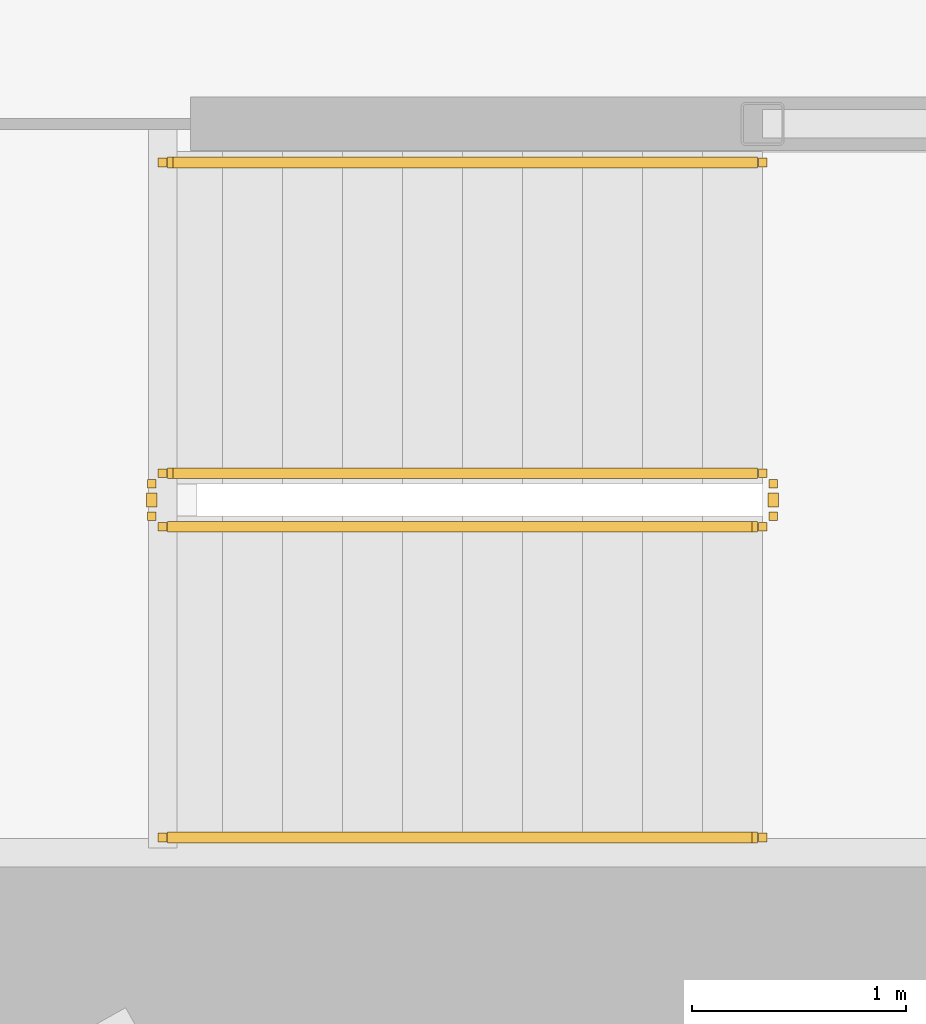
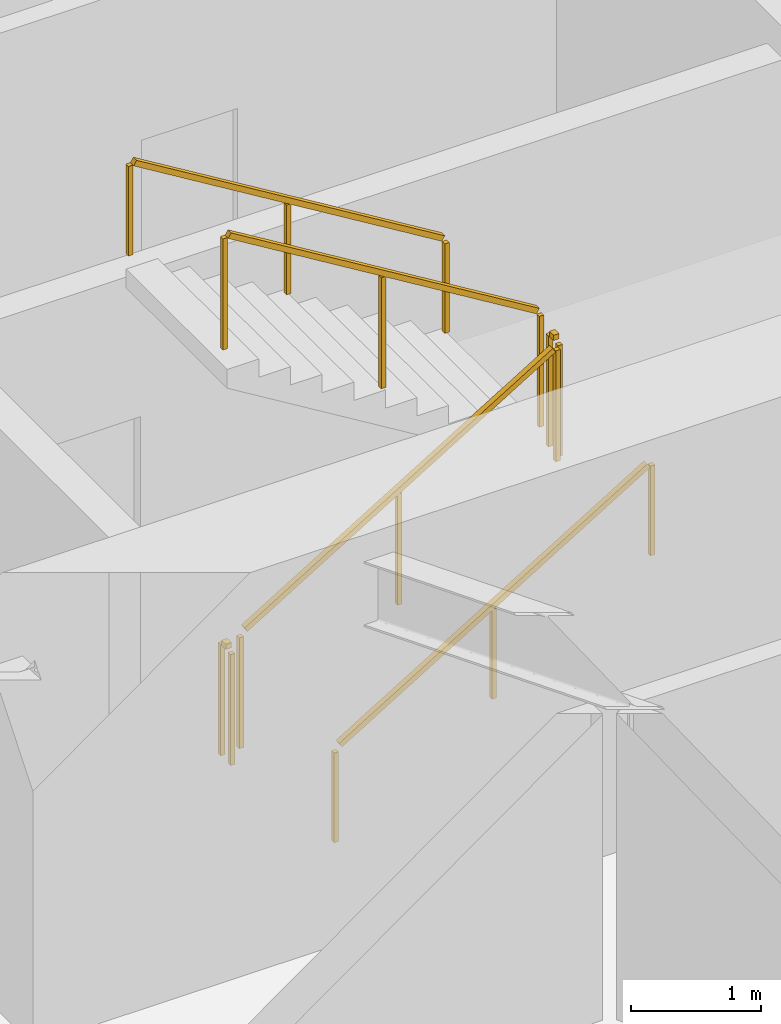
# One storey, part 29 of 32: 6 railings.
"""IFC4 building model written with IfcOpenShell, lengths in metres."""

from ifc_helpers import new_model, si_unit, direction, frame, origin, origin_2d, place, context, subcontext, project, spatial, rectangle, extrude, material, type_object, element, save


model = new_model("IFC4")

# Units and contexts
model_context = context("Model", 3, precision=1e-05, world=origin(), true_north=direction((0.0, 1.0)))
body_context = subcontext(model_context, "Body", "Model", "MODEL_VIEW")
ifc_project = project(units=[si_unit("LENGTHUNIT", "METRE"), si_unit("AREAUNIT", "SQUARE_METRE"), si_unit("VOLUMEUNIT", "CUBIC_METRE"), si_unit("PLANEANGLEUNIT", "RADIAN"), si_unit("MASSUNIT", "GRAM", prefix="KILO")], contexts=[model_context])

# Site, building, storey
site_placement = place(None, origin())
site = spatial("IfcSite", under=ifc_project, at=site_placement, CompositionType="ELEMENT")
building_placement = place(site_placement, origin())
building = spatial("IfcBuilding", under=site, at=building_placement, Name="Kazma Halo Residences", CompositionType="ELEMENT")
storey_placement = place(building_placement, frame((0.0, 0.0, 63.89990234375)))
storey = spatial("IfcBuildingStorey", under=building, at=storey_placement, Name="L15", CompositionType="ELEMENT", Elevation=63.89990234375)

# Railings
ifc_material_1 = material(Name="Painted Steel S355", Category="steel")
railing_type_1 = type_object("IfcRailingType", Name="RLG-STAIR-GRD-1100", PredefinedType="GUARDRAIL", material=ifc_material_1)
railing_1_placement = place(storey_placement, frame((53.199951171875, 35.5, 0.170654296875)))
element("IfcRailing", 1, at=railing_1_placement, inside=storey, type_object=railing_type_1, Name="L15 ST-03 stair guard 1", PredefinedType="GUARDRAIL", context=body_context, shape_type="SweptSolid", body=[
    extrude(rectangle(XDim=0.050048828125, YDim=0.050048828125, at=origin_2d()), frame((0.036376953125, 0.0, 1.09716796875), z_axis=(0.854202870247, 0.0, 0.519939858505), x_axis=(0.0, 1.0, 0.0)), (0.0, 0.0, 1.0), 3.19287109375),
    extrude(rectangle(XDim=0.0400390625, YDim=0.0400390625, at=origin_2d()), origin(), (0.0, 0.0, 1.0), 1.0380859375),
    extrude(rectangle(XDim=0.0400390625, YDim=0.0400390625, at=origin_2d()), frame((1.39990234375, 0.0, 0.85205078125)), (0.0, 0.0, 1.0), 1.0380859375),
    extrude(rectangle(XDim=0.0400390625, YDim=0.0400390625, at=origin_2d()), frame((2.800048828125, 0.0, 1.704345703125)), (0.0, 0.0, 1.0), 1.0380859375),
])
railing_2_placement = place(storey_placement, frame((56.050048828125, 35.550048828125, 1.875)))
element("IfcRailing", 2, at=railing_2_placement, inside=storey, type_object=railing_type_1, Name="L15 ST-03 stair guard 2", PredefinedType="GUARDRAIL", context=body_context, shape_type="SweptSolid", body=[
    extrude(rectangle(XDim=0.050048828125, YDim=0.050048828125, at=origin_2d()), frame((0.0, 0.04248046875, 1.0751953125), z_axis=(0.0, 1.0, 0.0), x_axis=(-1.0, 0.0, 0.0)), (0.0, 0.0, 1.0), 0.06494140625),
    extrude(rectangle(XDim=0.0400390625, YDim=0.0400390625, at=origin_2d()), origin(), (0.0, 0.0, 1.0), 1.0380859375),
    extrude(rectangle(XDim=0.0400390625, YDim=0.0400390625, at=origin_2d()), frame((0.0, 0.14990234375, 0.0)), (0.0, 0.0, 1.0), 1.0380859375),
])
railing_3_placement = place(storey_placement, frame((56.0, 35.75, 2.045654296875)))
element("IfcRailing", 3, at=railing_3_placement, inside=storey, type_object=railing_type_1, Name="L15 ST-03 stair guard 3", PredefinedType="GUARDRAIL", context=body_context, shape_type="SweptSolid", body=[
    extrude(rectangle(XDim=0.050048828125, YDim=0.050048828125, at=origin_2d()), frame((-0.036376953125, 0.0, 1.09716796875), z_axis=(-0.854202870247, 0.0, 0.519939858505), x_axis=(0.0, -1.0, 0.0)), (0.0, 0.0, 1.0), 3.19287109375),
    extrude(rectangle(XDim=0.0400390625, YDim=0.0400390625, at=origin_2d()), origin(), (0.0, 0.0, 1.0), 1.0380859375),
    extrude(rectangle(XDim=0.0400390625, YDim=0.0400390625, at=origin_2d()), frame((-1.39990234375, 0.0, 0.85205078125)), (0.0, 0.0, 1.0), 1.0380859375),
    extrude(rectangle(XDim=0.0400390625, YDim=0.0400390625, at=origin_2d()), frame((-2.800048828125, 0.0, 1.704345703125)), (0.0, 0.0, 1.0), 1.0380859375),
])
railing_4_placement = place(storey_placement, frame((53.14990234375, 35.550048828125, 0.0)))
element("IfcRailing", 4, at=railing_4_placement, inside=storey, type_object=railing_type_1, Name="L15 ST-03 stair guard 4", PredefinedType="GUARDRAIL", context=body_context, shape_type="SweptSolid", body=[
    extrude(rectangle(XDim=0.050048828125, YDim=0.050048828125, at=origin_2d()), frame((0.0, 0.04248046875, 1.0751953125), z_axis=(0.0, 1.0, 0.0), x_axis=(-1.0, 0.0, 0.0)), (0.0, 0.0, 1.0), 0.06494140625),
    extrude(rectangle(XDim=0.0400390625, YDim=0.0400390625, at=origin_2d()), origin(), (0.0, 0.0, 1.0), 1.0380859375),
    extrude(rectangle(XDim=0.0400390625, YDim=0.0400390625, at=origin_2d()), frame((0.0, 0.14990234375, 0.0)), (0.0, 0.0, 1.0), 1.0380859375),
])
ifc_material_2 = material(Name="Brushed Stainless Steel", Category="steel")
railing_type_2 = type_object("IfcRailingType", Name="RLG-STAIR-HND-900", PredefinedType="HANDRAIL", material=ifc_material_2)
railing_5_placement = place(storey_placement, frame((53.199951171875, 34.050048828125, 0.170654296875)))
element("IfcRailing", 5, at=railing_5_placement, inside=storey, type_object=railing_type_2, Name="L15 ST-03 stair handrail 1", PredefinedType="HANDRAIL", context=body_context, shape_type="SweptSolid", body=[
    extrude(rectangle(XDim=0.050048828125, YDim=0.050048828125, at=origin_2d()), frame((0.036376953125, 0.0, 0.89697265625), z_axis=(0.854202870247, 0.0, 0.519939858505), x_axis=(0.0, 1.0, 0.0)), (0.0, 0.0, 1.0), 3.19287109375),
    extrude(rectangle(XDim=0.0400390625, YDim=0.0400390625, at=origin_2d()), origin(), (0.0, 0.0, 1.0), 0.837890625),
    extrude(rectangle(XDim=0.0400390625, YDim=0.0400390625, at=origin_2d()), frame((1.39990234375, 0.0, 0.85205078125)), (0.0, 0.0, 1.0), 0.837890625),
    extrude(rectangle(XDim=0.0400390625, YDim=0.0400390625, at=origin_2d()), frame((2.800048828125, 0.0, 1.704345703125)), (0.0, 0.0, 1.0), 0.837890625),
])
railing_6_placement = place(storey_placement, frame((56.0, 37.199951171875, 2.045654296875)))
element("IfcRailing", 6, at=railing_6_placement, inside=storey, type_object=railing_type_2, Name="L15 ST-03 stair handrail 2", PredefinedType="HANDRAIL", context=body_context, shape_type="SweptSolid", body=[
    extrude(rectangle(XDim=0.050048828125, YDim=0.050048828125, at=origin_2d()), frame((-0.036376953125, 0.0, 0.89697265625), z_axis=(-0.854202870247, 0.0, 0.519939858505), x_axis=(0.0, -1.0, 0.0)), (0.0, 0.0, 1.0), 3.19287109375),
    extrude(rectangle(XDim=0.0400390625, YDim=0.0400390625, at=origin_2d()), origin(), (0.0, 0.0, 1.0), 0.837890625),
    extrude(rectangle(XDim=0.0400390625, YDim=0.0400390625, at=origin_2d()), frame((-1.39990234375, 0.0, 0.85205078125)), (0.0, 0.0, 1.0), 0.837890625),
    extrude(rectangle(XDim=0.0400390625, YDim=0.0400390625, at=origin_2d()), frame((-2.800048828125, 0.0, 1.704345703125)), (0.0, 0.0, 1.0), 0.837890625),
])

save(model, "model.ifc")
